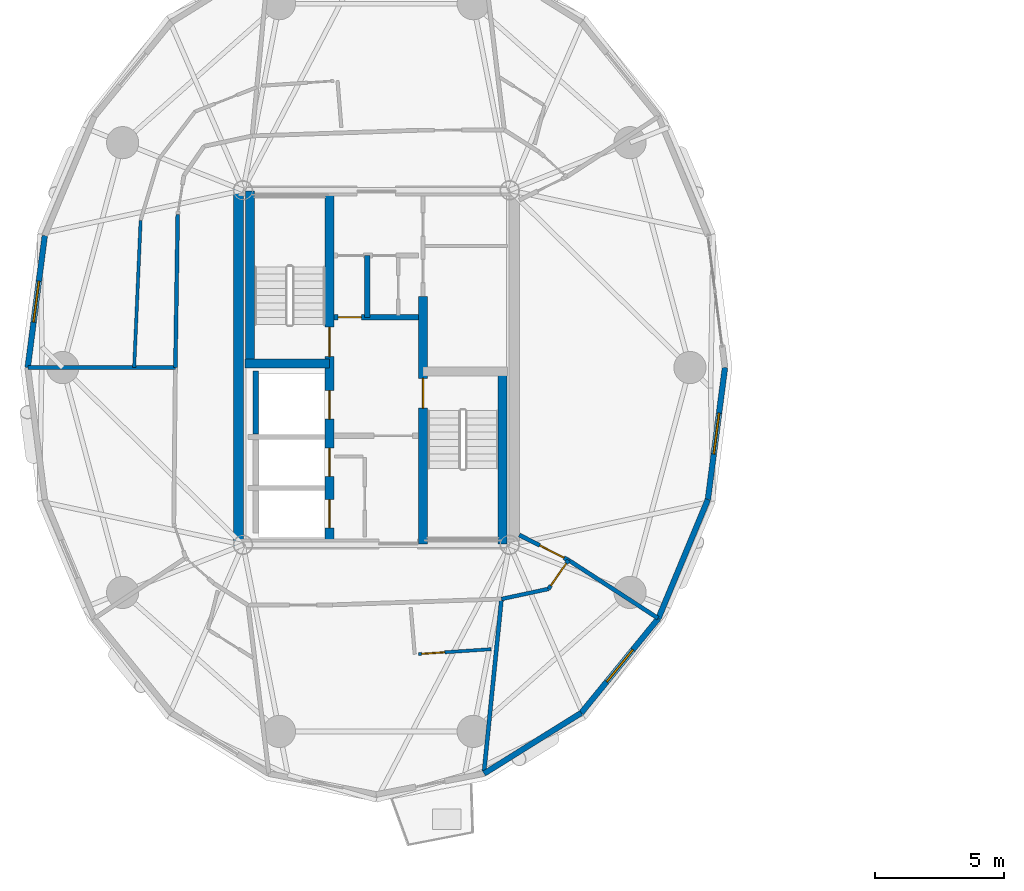
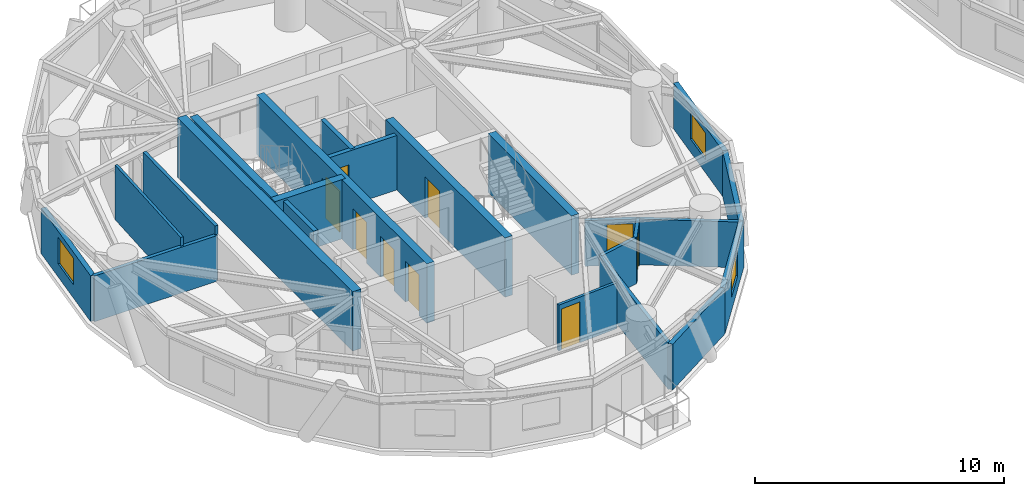
# One storey, part 8 of 16: 23 walls, 9 doors, 3 windows, 12 openings.
"""IFC4 building model written with IfcOpenShell, lengths in metres."""

import ifcopenshell
import ifcopenshell.guid

model = None  # the IFC model being written
_history = None  # IfcOwnerHistory: only IFC2X3 demands one
_inside = {}  # id of a spatial element -> (the spatial element, [elements in it])
_under = {}  # id of a project, library or spatial element -> (it, [spatial elements below it])
_declared = {}  # id of a project -> (the project, [libraries it declares])
_typed = {}  # id of a type object -> (the type object, [elements of that type])
_made_of = {}  # id of a material, layer set ... -> (it, [elements and type objects made of it])


def new_model(schema):
    """Start an empty IFC model of exactly this schema.

    Asked for "IFC4X3", IfcOpenShell would pick the latest addendum, in which some entities
    have other attributes; the version numbers below select the first issue.
    IFC2X3 requires an IfcOwnerHistory on every rooted entity: one is made here for all.
    """
    global model, _history
    if schema == "IFC4X3":
        model = ifcopenshell.file(schema_version=(4, 3, 0, 0))
    else:
        model = ifcopenshell.file(schema=schema)
    _inside.clear()
    _under.clear()
    _declared.clear()
    _typed.clear()
    _made_of.clear()
    _history = None
    if model.schema == "IFC2X3":
        org = make("IfcOrganization", Name="unknown")
        user = make(
            "IfcPersonAndOrganization",
            ThePerson=make("IfcPerson", FamilyName="unknown"),
            TheOrganization=org,
        )
        app = make(
            "IfcApplication",
            ApplicationDeveloper=org,
            Version="unknown",
            ApplicationFullName="unknown",
            ApplicationIdentifier="unknown",
        )
        _history = make(
            "IfcOwnerHistory",
            OwningUser=user,
            OwningApplication=app,
            ChangeAction="ADDED",
            CreationDate=0,
        )
    return model


def make(cls, **values):
    """One entity of the class cls with the attributes given. An attribute that is None is left unset."""
    return model.create_entity(
        cls, **{name: value for name, value in values.items() if value is not None}
    )


def rooted(cls, **values):
    """An entity with a GlobalId (a new one), such as an element, a storey or a relation."""
    return make(cls, GlobalId=ifcopenshell.guid.new(), OwnerHistory=_history, **values)


def si_unit(unit_type, name, prefix=None):
    """IfcSIUnit, for example si_unit("LENGTHUNIT", "METRE", prefix="MILLI")."""
    return make("IfcSIUnit", UnitType=unit_type, Prefix=prefix, Name=name)


def assignment(units):
    """IfcUnitAssignment: the units of a project."""
    return None if units is None else make("IfcUnitAssignment", Units=units)


def point(xyz):
    """IfcCartesianPoint."""
    return None if xyz is None else make("IfcCartesianPoint", Coordinates=xyz)


def direction(xyz):
    """IfcDirection."""
    return None if xyz is None else make("IfcDirection", DirectionRatios=xyz)


def frame(location, z_axis=None, x_axis=None):
    """IfcAxis2Placement3D, a coordinate frame: its origin and axes. An axis left out is left unset."""
    return make(
        "IfcAxis2Placement3D",
        Location=point(location),
        Axis=direction(z_axis),
        RefDirection=direction(x_axis),
    )


def frame_2d(location, x_axis=None):
    """IfcAxis2Placement2D, a coordinate frame in the plane: its origin and x axis."""
    return make(
        "IfcAxis2Placement2D", Location=point(location), RefDirection=direction(x_axis)
    )


def origin():
    """The frame at (0, 0, 0) with its axes left unset."""
    return frame((0.0, 0.0, 0.0))


def place(relative_to, where):
    """IfcLocalPlacement: puts the frame where relative to a parent placement (None: the world)."""
    return make(
        "IfcLocalPlacement", PlacementRelTo=relative_to, RelativePlacement=where
    )


def context(
    kind, dimensions, precision=None, world=None, true_north=None, identifier=None
):
    """IfcGeometricRepresentationContext, for example the 3D "Model" context."""
    return make(
        "IfcGeometricRepresentationContext",
        ContextIdentifier=identifier,
        ContextType=kind,
        CoordinateSpaceDimension=dimensions,
        Precision=precision,
        WorldCoordinateSystem=world,
        TrueNorth=true_north,
    )


def subcontext(parent, identifier, kind, view, scale=None):
    """IfcGeometricRepresentationSubContext, for example "Body" below "Model"."""
    return make(
        "IfcGeometricRepresentationSubContext",
        ContextIdentifier=identifier,
        ContextType=kind,
        ParentContext=parent,
        TargetScale=scale,
        TargetView=view,
    )


def project(units=None, contexts=None):
    """IfcProject with its units and contexts."""
    return rooted(
        "IfcProject",
        Name="project",
        RepresentationContexts=contexts,
        UnitsInContext=assignment(units),
    )


def spatial(cls, under=None, at=None, **own):
    """A site, building, storey or space (cls), placed at a placement, below another one or the project."""
    s = rooted(cls, ObjectPlacement=at, **own)
    if under is not None:
        _under.setdefault(under.id(), (under, []))[1].append(s)
    return s


def profile(cls, at=None, kind="AREA", **sizes):
    """A parametric profile (cls). Its sizes go by their IFC names, for example OverallWidth=200.0."""
    return make(cls, ProfileType=kind, Position=at, **sizes)


def rectangle(**sizes):
    """IfcRectangleProfileDef."""
    return profile("IfcRectangleProfileDef", **sizes)


def extrude(swept, where, along, depth):
    """IfcExtrudedAreaSolid: the profile swept, set in the frame where, extruded along a direction by depth."""
    return make(
        "IfcExtrudedAreaSolid",
        SweptArea=swept,
        Position=where,
        ExtrudedDirection=direction(along),
        Depth=depth,
    )


def shape(context_of_items, identifier, shape_type, items):
    """IfcShapeRepresentation: the items that make up one representation, for example the "Body"."""
    return make(
        "IfcShapeRepresentation",
        ContextOfItems=context_of_items,
        RepresentationIdentifier=identifier,
        RepresentationType=shape_type,
        Items=items,
    )


def source(mapping_origin, context_of_items, identifier, shape_type, items):
    """IfcRepresentationMap: a shape defined once, which mapped items show again and again."""
    return make(
        "IfcRepresentationMap",
        MappingOrigin=mapping_origin,
        MappedRepresentation=shape(context_of_items, identifier, shape_type, items),
    )


def transform(
    local_origin,
    x_axis=None,
    y_axis=None,
    z_axis=None,
    scale=None,
    scale2=None,
    scale3=None,
    uniform=True,
):
    """IfcCartesianTransformationOperator3D, or its non-uniform kind. x_axis, y_axis, z_axis: its Axis1, 2, 3."""
    if uniform:
        return make(
            "IfcCartesianTransformationOperator3D",
            Axis1=direction(x_axis),
            Axis2=direction(y_axis),
            LocalOrigin=point(local_origin),
            Scale=scale,
            Axis3=direction(z_axis),
        )
    return make(
        "IfcCartesianTransformationOperator3DnonUniform",
        Axis1=direction(x_axis),
        Axis2=direction(y_axis),
        LocalOrigin=point(local_origin),
        Scale=scale,
        Axis3=direction(z_axis),
        Scale2=scale2,
        Scale3=scale3,
    )


def mapped(mapping_source, mapping_target):
    """IfcMappedItem: shows the shape of a source again, moved by a transform."""
    return make(
        "IfcMappedItem", MappingSource=mapping_source, MappingTarget=mapping_target
    )


def material(Name=None, Category=None):
    """IfcMaterial."""
    return make("IfcMaterial", Name=Name, Category=Category)


def layer(
    of_material, thickness, ventilated=None, Name=None, Category=None, Priority=None
):
    """IfcMaterialLayer: one layer of a wall or slab, of a material (None: an air gap)."""
    return make(
        "IfcMaterialLayer",
        Material=of_material,
        LayerThickness=thickness,
        IsVentilated=ventilated,
        Name=Name,
        Category=Category,
        Priority=Priority,
    )


def layer_set(layers, Name=None):
    """IfcMaterialLayerSet."""
    return make("IfcMaterialLayerSet", MaterialLayers=layers, LayerSetName=Name)


def made_of(thing, what):
    """Note that an element or type object is made of a material, layer set ...; save() writes the relation."""
    if what is not None:
        _made_of.setdefault(what.id(), (what, []))[1].append(thing)
    return thing


def type_object(cls, material=None, **own):
    """A type object (cls), such as IfcWallType, which elements share."""
    return made_of(rooted(cls, **own), material)


def element(
    cls,
    number,
    at=None,
    inside=None,
    cuts=None,
    type_object=None,
    material=None,
    context=None,
    identifier="Body",
    shape_type=None,
    held_by="IfcProductDefinitionShape",
    body=None,
    shapes=None,
    **own,
):
    """One element of the class cls, such as IfcWall. Its Tag is "e" and its number.

    at: its placement. inside: the storey or other place that contains it. cuts: it is an
    opening in that element (IfcRelVoidsElement). A single representation is given by context,
    identifier, shape_type and body (its items); several are given by shapes. held_by: the class
    of the entity that holds the representations. save() writes the other relations.
    """
    e = rooted(cls, Tag="e%d" % number, ObjectPlacement=at, **own)
    if body is not None:
        shapes = [shape(context, identifier, shape_type, body)]
    if shapes is not None:
        e.Representation = make(held_by, Representations=shapes)
    if inside is not None:
        _inside.setdefault(inside.id(), (inside, []))[1].append(e)
    if cuts is not None:
        rooted(
            "IfcRelVoidsElement", RelatingBuildingElement=cuts, RelatedOpeningElement=e
        )
    if type_object is not None:
        _typed.setdefault(type_object.id(), (type_object, []))[1].append(e)
    return made_of(e, material)


def fill(opening, filler):
    """IfcRelFillsElement: the door or window that sits in an opening."""
    return rooted(
        "IfcRelFillsElement",
        RelatingOpeningElement=opening,
        RelatedBuildingElement=filler,
    )


def aggregate(whole, parts):
    """IfcRelAggregates: a whole, such as a stair, and the parts it consists of."""
    return rooted("IfcRelAggregates", RelatingObject=whole, RelatedObjects=parts)


def save(model, path):
    """Write the relations noted so far, then the file.

    IfcRelAggregates (storeys below a building ...), IfcRelContainedInSpatialStructure (elements
    in a storey), IfcRelDefinesByType, IfcRelAssociatesMaterial and IfcRelDeclares: one each for
    every whole, place, type object, material and project.
    """
    for whole, parts in _under.values():
        aggregate(whole, parts)
    for where, things in _inside.values():
        rooted(
            "IfcRelContainedInSpatialStructure",
            RelatedElements=things,
            RelatingStructure=where,
        )
    for kind, things in _typed.values():
        rooted("IfcRelDefinesByType", RelatedObjects=things, RelatingType=kind)
    for what, things in _made_of.values():
        rooted("IfcRelAssociatesMaterial", RelatedObjects=things, RelatingMaterial=what)
    for by, libraries in _declared.values():
        rooted("IfcRelDeclares", RelatingContext=by, RelatedDefinitions=libraries)
    model.write(path)


model = new_model("IFC4")

# Units and contexts
model_context = context("Model", 3, precision=1e-05, world=origin(), true_north=direction((0.0, 1.0)))
body_context = subcontext(model_context, "Body", "Model", "MODEL_VIEW")
ifc_project = project(units=[si_unit("LENGTHUNIT", "METRE"), si_unit("AREAUNIT", "SQUARE_METRE"), si_unit("VOLUMEUNIT", "CUBIC_METRE"), si_unit("PLANEANGLEUNIT", "RADIAN"), si_unit("MASSUNIT", "GRAM", prefix="KILO")], contexts=[model_context])

# Site, building, storey
site_placement = place(None, origin())
site = spatial("IfcSite", under=ifc_project, at=site_placement, CompositionType="ELEMENT")
building_placement = place(site_placement, origin())
building = spatial("IfcBuilding", under=site, at=building_placement, Name="Cununo Teusaquillo Station Towers", CompositionType="ELEMENT")
storey_placement = place(building_placement, frame((0.0, 0.0, 180.699951171875)))
storey = spatial("IfcBuildingStorey", under=building, at=storey_placement, Name="L57", CompositionType="ELEMENT", Elevation=180.699951171875)

# Wall
ifc_material_1 = material(Name="Concrete C50/60", Category="concrete")
ifc_layer_1 = layer(ifc_material_1, 0.199951171875)
ifc_layer_set_1 = layer_set([ifc_layer_1], Name="Concrete C50/60")
wall_type_1 = type_object("IfcWallType", Name="WL-CORE-200", PredefinedType="SHEAR", material=ifc_layer_set_1)
wall_1_placement = place(storey_placement, frame((11.820068359375, 21.919921875, 0.0), z_axis=(0.0, 0.0, 1.0), x_axis=(0.0, 1.0, 0.0)))
element("IfcWall", 1, at=wall_1_placement, inside=storey, type_object=wall_type_1, Name="L57 Tower A Firefighting Lift Shaft Rear Shear Wall", PredefinedType="SHEAR", context=body_context, shape_type="SweptSolid", body=[
    extrude(rectangle(XDim=2.440185546875, YDim=0.199951171875, at=frame_2d((1.22021484375, 0.0))), origin(), (0.0, 0.0, 1.0), 2.91015625),
])

# Wall, openings, doors
ifc_material_2 = material(Name="Concrete C50/60", Category="concrete")
ifc_layer_2 = layer(ifc_material_2, 0.35009765625)
ifc_layer_set_2 = layer_set([ifc_layer_2], Name="Concrete C50/60")
wall_type_2 = type_object("IfcWallType", Name="WL-CORE-350", PredefinedType="SHEAR", material=ifc_layer_set_2)
wall_2_placement = place(storey_placement, frame((14.68505859375, 17.64990234375, 0.0), z_axis=(0.0, 0.0, 1.0), x_axis=(0.0, 1.0, 0.0)))
wall_2 = element("IfcWall", 2, at=wall_2_placement, inside=storey, type_object=wall_type_2, Name="L57 Tower A Core Shear Wall IW", PredefinedType="SHEAR", context=body_context, shape_type="SweptSolid", body=[
    extrude(rectangle(XDim=13.7001953125, YDim=0.35009765625, at=frame_2d((6.85009765625, 0.0))), origin(), (0.0, 0.0, 1.0), 2.91015625),
])
shared_shape_1 = source(origin(), body_context, "Body", "SweptSolid", [
    extrude(rectangle(XDim=1.10009765625, YDim=2.014892578125, at=frame_2d((0.550048828125, 1.00732421875))), frame((0.0, 0.18505859375, 0.0), z_axis=(0.0, -1.0, 0.0), x_axis=(1.0, 0.0, 0.0)), (0.0, 0.0, 1.0), 0.3701171875),
])
opening_1_placement = place(wall_2_placement, frame((4.85009765625, 0.0, 0.0)))
opening_1 = element("IfcOpeningElement", 3, at=opening_1_placement, cuts=wall_2, Name="Opening LD-01", PredefinedType="OPENING", context=body_context, shape_type="MappedRepresentation", body=[
    mapped(shared_shape_1, transform((0.0, 0.0, 0.0), x_axis=(1.0, 0.0, 0.0), y_axis=(0.0, 1.0, 0.0), z_axis=(0.0, 0.0, 1.0), scale=1.0)),
])
opening_2_placement = place(wall_2_placement, frame((0.625, 0.0, 0.0)))
opening_2 = element("IfcOpeningElement", 4, at=opening_2_placement, cuts=wall_2, Name="Opening LD-01", PredefinedType="OPENING", context=body_context, shape_type="MappedRepresentation", body=[
    mapped(shared_shape_1, transform((0.0, 0.0, 0.0), x_axis=(1.0, 0.0, 0.0), y_axis=(0.0, 1.0, 0.0), z_axis=(0.0, 0.0, 1.0), scale=1.0)),
])
opening_3_placement = place(wall_2_placement, frame((2.625, 0.0, 0.0)))
opening_3 = element("IfcOpeningElement", 5, at=opening_3_placement, cuts=wall_2, Name="Opening LD-01", PredefinedType="OPENING", context=body_context, shape_type="MappedRepresentation", body=[
    mapped(shared_shape_1, transform((0.0, 0.0, 0.0), x_axis=(1.0, 0.0, 0.0), y_axis=(0.0, 1.0, 0.0), z_axis=(0.0, 0.0, 1.0), scale=1.0)),
])
shared_shape_2 = source(origin(), body_context, "Body", "SweptSolid", [
    extrude(rectangle(XDim=1.14990234375, YDim=2.02001953125, at=frame_2d((0.574951171875, 1.010009765625))), frame((0.0, 0.18505859375, 0.0), z_axis=(0.0, -1.0, 0.0), x_axis=(1.0, 0.0, 0.0)), (0.0, 0.0, 1.0), 0.3701171875),
])
opening_4_placement = place(wall_2_placement, frame((7.27001953125, 0.0, 0.0)))
opening_4 = element("IfcOpeningElement", 6, at=opening_4_placement, cuts=wall_2, Name="Opening D-ST1", PredefinedType="OPENING", context=body_context, shape_type="MappedRepresentation", body=[
    mapped(shared_shape_2, transform((0.0, 0.0, 0.0), x_axis=(1.0, 0.0, 0.0), y_axis=(0.0, 1.0, 0.0), z_axis=(0.0, 0.0, 1.0), scale=1.0)),
])
ifc_material_3 = material(Name="Galvanised fire-rated hollow steel door assembly", Category="steel")
door_type_1 = type_object("IfcDoorType", Name="DR-LIFT-1100", OperationType="SLIDING_TO_LEFT", PredefinedType="DOOR", material=ifc_material_3)
shared_shape_3 = source(origin(), body_context, "Body", "SweptSolid", [
    extrude(rectangle(XDim=1.10009765625, YDim=2.014892578125, at=frame_2d((0.550048828125, 1.00732421875))), frame((0.0, 0.02490234375, 0.0), z_axis=(0.0, -1.0, 0.0), x_axis=(1.0, 0.0, 0.0)), (0.0, 0.0, 1.0), 0.050048828125),
])
door_1_placement = place(opening_1_placement, origin())
door_1 = element("IfcDoor", 7, at=door_1_placement, inside=storey, type_object=door_type_1, Name="L57 Lift FL-T1 Sliding Landing Door", OperationType="SLIDING_TO_RIGHT", OverallHeight=2.014892578125, OverallWidth=1.10009765625, PredefinedType="DOOR", context=body_context, shape_type="MappedRepresentation", body=[
    mapped(shared_shape_3, transform((0.0, 0.0, 0.0), x_axis=(1.0, 0.0, 0.0), y_axis=(0.0, 1.0, 0.0), z_axis=(0.0, 0.0, 1.0), scale=1.0)),
])
fill(opening_1, door_1)
door_2_placement = place(opening_2_placement, origin())
door_2 = element("IfcDoor", 8, at=door_2_placement, inside=storey, type_object=door_type_1, Name="L57 Lift PL-T1-H1 Sliding Landing Door", OperationType="SLIDING_TO_LEFT", OverallHeight=2.014892578125, OverallWidth=1.10009765625, PredefinedType="DOOR", context=body_context, shape_type="MappedRepresentation", body=[
    mapped(shared_shape_3, transform((0.0, 0.0, 0.0), x_axis=(1.0, 0.0, 0.0), y_axis=(0.0, 1.0, 0.0), z_axis=(0.0, 0.0, 1.0), scale=1.0)),
])
fill(opening_2, door_2)
door_3_placement = place(opening_3_placement, origin())
door_3 = element("IfcDoor", 9, at=door_3_placement, inside=storey, type_object=door_type_1, Name="L57 Lift PL-T1-H2 Sliding Landing Door", OperationType="SLIDING_TO_RIGHT", OverallHeight=2.014892578125, OverallWidth=1.10009765625, PredefinedType="DOOR", context=body_context, shape_type="MappedRepresentation", body=[
    mapped(shared_shape_3, transform((0.0, 0.0, 0.0), x_axis=(1.0, 0.0, 0.0), y_axis=(0.0, 1.0, 0.0), z_axis=(0.0, 0.0, 1.0), scale=1.0)),
])
fill(opening_3, door_3)
ifc_material_4 = material(Name="Galvanised fire-rated hollow steel door assembly", Category="steel")
door_type_2 = type_object("IfcDoorType", Name="DR-STAIR-1150", OperationType="NOTDEFINED", PredefinedType="DOOR", material=ifc_material_4)
shared_shape_4 = source(origin(), body_context, "Body", "SweptSolid", [
    extrude(rectangle(XDim=1.14990234375, YDim=2.02001953125, at=frame_2d((0.574951171875, 1.010009765625))), frame((0.0, 0.02490234375, 0.0), z_axis=(0.0, -1.0, 0.0), x_axis=(1.0, 0.0, 0.0)), (0.0, 0.0, 1.0), 0.050048828125),
])
door_4_placement = place(opening_4_placement, origin())
door_4 = element("IfcDoor", 10, at=door_4_placement, inside=storey, type_object=door_type_2, Name="L57 Tower A Exit Stair 1 Fire Door", OperationType="SINGLE_SWING_RIGHT", OverallHeight=2.02001953125, OverallWidth=1.14990234375, PredefinedType="DOOR", context=body_context, shape_type="MappedRepresentation", body=[
    mapped(shared_shape_4, transform((0.0, 0.0, 0.0), x_axis=(1.0, 0.0, 0.0), y_axis=(0.0, 1.0, 0.0), z_axis=(0.0, 0.0, 1.0), scale=1.0)),
])
fill(opening_4, door_4)

# Wall, opening, door
wall_3_placement = place(storey_placement, frame((18.31494140625, 17.64990234375, 0.0), z_axis=(0.0, 0.0, 1.0), x_axis=(0.0, 1.0, 0.0)))
wall_3 = element("IfcWall", 11, at=wall_3_placement, inside=storey, type_object=wall_type_2, Name="L57 Tower A Core Shear Wall IE", PredefinedType="SHEAR", context=body_context, shape_type="SweptSolid", body=[
    extrude(rectangle(XDim=9.60009765625, YDim=0.35009765625, at=frame_2d((4.800048828125, 0.0))), origin(), (0.0, 0.0, 1.0), 2.91015625),
])
opening_5_placement = place(wall_3_placement, frame((5.280029296875, 0.0, 0.0)))
opening_5 = element("IfcOpeningElement", 12, at=opening_5_placement, cuts=wall_3, Name="Opening D-ST1", PredefinedType="OPENING", context=body_context, shape_type="MappedRepresentation", body=[
    mapped(shared_shape_2, transform((0.0, 0.0, 0.0), x_axis=(1.0, 0.0, 0.0), y_axis=(0.0, 1.0, 0.0), z_axis=(0.0, 0.0, 1.0), scale=1.0)),
])
door_5_placement = place(opening_5_placement, origin())
door_5 = element("IfcDoor", 13, at=door_5_placement, inside=storey, type_object=door_type_2, Name="L57 Tower A Exit Stair 2 Fire Door", OperationType="SINGLE_SWING_LEFT", OverallHeight=2.02001953125, OverallWidth=1.14990234375, PredefinedType="DOOR", context=body_context, shape_type="MappedRepresentation", body=[
    mapped(shared_shape_4, transform((0.0, 0.0, 0.0), x_axis=(1.0, 0.0, 0.0), y_axis=(0.0, 1.0, 0.0), z_axis=(0.0, 0.0, 1.0), scale=1.0)),
])
fill(opening_5, door_5)

# Walls
wall_4_placement = place(storey_placement, frame((11.594970703125, 24.655029296875, 0.0), z_axis=(0.0, 0.0, 1.0), x_axis=(0.0, 1.0, 0.0)))
element("IfcWall", 14, at=wall_4_placement, inside=storey, type_object=wall_type_2, Name="L57 Tower A Core Shear Wall ST1W", PredefinedType="SHEAR", context=body_context, shape_type="SweptSolid", body=[
    extrude(rectangle(XDim=6.695068359375, YDim=0.35009765625, at=frame_2d((3.34765625, 0.0))), origin(), (0.0, 0.0, 1.0), 2.91015625),
])
wall_5_placement = place(storey_placement, frame((11.39990234375, 24.655029296875, 0.0), z_axis=(0.0, 0.0, 1.0), x_axis=(1.0, 0.0, 0.0)))
element("IfcWall", 15, at=wall_5_placement, inside=storey, type_object=wall_type_2, Name="L57 Tower A Core Shear Wall ST1S", PredefinedType="SHEAR", context=body_context, shape_type="SweptSolid", body=[
    extrude(rectangle(XDim=3.28515625, YDim=0.35009765625, at=frame_2d((1.642578125, 0.0))), origin(), (0.0, 0.0, 1.0), 2.91015625),
])
wall_6_placement = place(storey_placement, frame((21.405029296875, 17.64990234375, 0.0), z_axis=(0.0, 0.0, 1.0), x_axis=(0.0, 1.0, 0.0)))
element("IfcWall", 16, at=wall_6_placement, inside=storey, type_object=wall_type_2, Name="L57 Tower A Core Shear Wall ST2E", PredefinedType="SHEAR", context=body_context, shape_type="SweptSolid", body=[
    extrude(rectangle(XDim=6.695068359375, YDim=0.35009765625, at=frame_2d((3.34765625, 0.0))), origin(), (0.0, 0.0, 1.0), 2.91015625),
])
ifc_material_5 = material(Name="Concrete C50/60", Category="concrete")
ifc_layer_3 = layer(ifc_material_5, 0.39990234375)
ifc_layer_set_3 = layer_set([ifc_layer_3], Name="Concrete C50/60")
wall_type_3 = type_object("IfcWallType", Name="WL-CORE-400", PredefinedType="SHEAR", material=ifc_layer_set_3)
wall_7_placement = place(storey_placement, frame((11.14990234375, 17.449951171875, 0.0), z_axis=(0.0, 0.0, 1.0), x_axis=(0.0, 1.0, 0.0)))
element("IfcWall", 17, at=wall_7_placement, inside=storey, type_object=wall_type_3, Name="L57 Tower A Core Shear Wall W", PredefinedType="SHEAR", context=body_context, shape_type="SweptSolid", body=[
    extrude(rectangle(XDim=14.10009765625, YDim=0.39990234375, at=frame_2d((7.050048828125, 0.0))), origin(), (0.0, 0.0, 1.0), 2.91015625),
])

# Wall, opening, window
ifc_material_6 = material(Name="Precast concrete C40/50", Category="concrete")
ifc_layer_4 = layer(ifc_material_6, 0.219970703125)
ifc_layer_set_4 = layer_set([ifc_layer_4], Name="Precast concrete C40/50")
wall_type_4 = type_object("IfcWallType", Name="WL-EXT-220", PredefinedType="SOLIDWALL", material=ifc_layer_set_4)
wall_8_placement = place(storey_placement, frame((2.968994140625, 24.5, 0.0), z_axis=(0.0, 0.0, 1.0), x_axis=(0.128287912609, 0.991736966881, 0.0)))
wall_8 = element("IfcWall", 18, at=wall_8_placement, inside=storey, type_object=wall_type_4, Name="L57 Tower A Exterior Facade Wall C09", PredefinedType="SOLIDWALL", context=body_context, shape_type="SweptSolid", body=[
    extrude(rectangle(XDim=5.1630859375, YDim=0.219970703125, at=frame_2d((2.58154296875, 0.0))), origin(), (0.0, 0.0, 1.0), 2.2451171875),
])
shared_shape_5 = source(origin(), body_context, "Body", "SweptSolid", [
    extrude(rectangle(XDim=1.60009765625, YDim=1.300048828125, at=frame_2d((0.800048828125, 0.64990234375))), frame((0.0, 0.119873046875, 0.0), z_axis=(0.0, -1.0, 0.0), x_axis=(1.0, 0.0, 0.0)), (0.0, 0.0, 1.0), 0.239990234375),
])
opening_6_placement = place(wall_8_placement, frame((1.781982421875, 0.0, 0.64990234375)))
opening_6 = element("IfcOpeningElement", 19, at=opening_6_placement, cuts=wall_8, Name="Opening WN-03", PredefinedType="OPENING", context=body_context, shape_type="MappedRepresentation", body=[
    mapped(shared_shape_5, transform((0.0, 0.0, 0.0), x_axis=(1.0, 0.0, 0.0), y_axis=(0.0, 1.0, 0.0), z_axis=(0.0, 0.0, 1.0), scale=1.0)),
])
ifc_material_7 = material(Name="Ceramic-fritted dark low-E double glazing", Category="glass")
window_type = type_object("IfcWindowType", Name="WIN-CORN-1600", PartitioningType="SINGLE_PANEL", PredefinedType="WINDOW", material=ifc_material_7)
shared_shape_6 = source(origin(), body_context, "Body", "SweptSolid", [
    extrude(rectangle(XDim=1.60009765625, YDim=1.300048828125, at=frame_2d((0.800048828125, 0.64990234375))), frame((0.0, 0.030029296875, 0.0), z_axis=(0.0, -1.0, 0.0), x_axis=(1.0, 0.0, 0.0)), (0.0, 0.0, 1.0), 0.06005859375),
])
window_1_placement = place(opening_6_placement, origin())
window_1 = element("IfcWindow", 20, at=window_1_placement, inside=storey, type_object=window_type, Name="L57 Tower A Facade Window C09", OverallHeight=1.300048828125, OverallWidth=1.60009765625, PartitioningType="SINGLE_PANEL", PredefinedType="WINDOW", context=body_context, shape_type="MappedRepresentation", body=[
    mapped(shared_shape_6, transform((0.0, 0.0, 0.0), x_axis=(1.0, 0.0, 0.0), y_axis=(0.0, 1.0, 0.0), z_axis=(0.0, 0.0, 1.0), scale=1.0)),
])
fill(opening_6, window_1)

# Wall
wall_9_placement = place(storey_placement, frame((24.453369140625, 11.094482421875, 0.0), z_axis=(0.0, 0.0, 1.0), x_axis=(-0.848399108042, -0.529357113368, 0.0)))
element("IfcWall", 21, at=wall_9_placement, inside=storey, type_object=wall_type_4, Name="L57 Tower A Exterior Facade Wall C16", PredefinedType="SOLIDWALL", context=body_context, shape_type="SweptSolid", body=[
    extrude(rectangle(XDim=4.446044921875, YDim=0.219970703125, at=frame_2d((2.22314453125, 0.0))), origin(), (0.0, 0.0, 1.0), 2.2451171875),
])

# Wall, opening, window
wall_10_placement = place(storey_placement, frame((27.44677734375, 14.760498046875, 0.0), z_axis=(0.0, 0.0, 1.0), x_axis=(-0.632470615287, -0.774584353572, 0.0)))
wall_10 = element("IfcWall", 22, at=wall_10_placement, inside=storey, type_object=wall_type_4, Name="L57 Tower A Exterior Facade Wall C17", PredefinedType="SOLIDWALL", context=body_context, shape_type="SweptSolid", body=[
    extrude(rectangle(XDim=4.73291015625, YDim=0.219970703125, at=frame_2d((2.366455078125, 0.0))), origin(), (0.0, 0.0, 1.0), 2.2451171875),
])
opening_7_placement = place(wall_10_placement, frame((1.56591796875, 0.0, 0.64990234375)))
opening_7 = element("IfcOpeningElement", 23, at=opening_7_placement, cuts=wall_10, Name="Opening WN-03", PredefinedType="OPENING", context=body_context, shape_type="MappedRepresentation", body=[
    mapped(shared_shape_5, transform((0.0, 0.0, 0.0), x_axis=(1.0, 0.0, 0.0), y_axis=(0.0, 1.0, 0.0), z_axis=(0.0, 0.0, 1.0), scale=1.0)),
])
window_2_placement = place(opening_7_placement, origin())
window_2 = element("IfcWindow", 24, at=window_2_placement, inside=storey, type_object=window_type, Name="L57 Tower A Facade Window C17", OverallHeight=1.300048828125, OverallWidth=1.60009765625, PartitioningType="SINGLE_PANEL", PredefinedType="WINDOW", context=body_context, shape_type="MappedRepresentation", body=[
    mapped(shared_shape_6, transform((0.0, 0.0, 0.0), x_axis=(1.0, 0.0, 0.0), y_axis=(0.0, 1.0, 0.0), z_axis=(0.0, 0.0, 1.0), scale=1.0)),
])
fill(opening_7, window_2)

# Wall
wall_11_placement = place(storey_placement, frame((29.36865234375, 19.379638671875, 0.0), z_axis=(0.0, 0.0, 1.0), x_axis=(-0.384144094086, -0.923273152961, 0.0)))
element("IfcWall", 25, at=wall_11_placement, inside=storey, type_object=wall_type_4, Name="L57 Tower A Exterior Facade Wall C18", PredefinedType="SOLIDWALL", context=body_context, shape_type="SweptSolid", body=[
    extrude(rectangle(XDim=5.0029296875, YDim=0.219970703125, at=frame_2d((2.50146484375, 0.0))), origin(), (0.0, 0.0, 1.0), 2.2451171875),
])

# Wall, opening, window
wall_12_placement = place(storey_placement, frame((30.031005859375, 24.5, 0.0), z_axis=(0.0, 0.0, 1.0), x_axis=(-0.128287912609, -0.991736966881, 0.0)))
wall_12 = element("IfcWall", 26, at=wall_12_placement, inside=storey, type_object=wall_type_4, Name="L57 Tower A Exterior Facade Wall C19", PredefinedType="SOLIDWALL", context=body_context, shape_type="SweptSolid", body=[
    extrude(rectangle(XDim=5.1630859375, YDim=0.219970703125, at=frame_2d((2.58154296875, 0.0))), origin(), (0.0, 0.0, 1.0), 2.2451171875),
])
opening_8_placement = place(wall_12_placement, frame((1.781982421875, 0.0, 0.64990234375)))
opening_8 = element("IfcOpeningElement", 27, at=opening_8_placement, cuts=wall_12, Name="Opening WN-03", PredefinedType="OPENING", context=body_context, shape_type="MappedRepresentation", body=[
    mapped(shared_shape_5, transform((0.0, 0.0, 0.0), x_axis=(1.0, 0.0, 0.0), y_axis=(0.0, 1.0, 0.0), z_axis=(0.0, 0.0, 1.0), scale=1.0)),
])
window_3_placement = place(opening_8_placement, origin())
window_3 = element("IfcWindow", 28, at=window_3_placement, inside=storey, type_object=window_type, Name="L57 Tower A Facade Window C19", OverallHeight=1.300048828125, OverallWidth=1.60009765625, PartitioningType="SINGLE_PANEL", PredefinedType="WINDOW", context=body_context, shape_type="MappedRepresentation", body=[
    mapped(shared_shape_6, transform((0.0, 0.0, 0.0), x_axis=(1.0, 0.0, 0.0), y_axis=(0.0, 1.0, 0.0), z_axis=(0.0, 0.0, 1.0), scale=1.0)),
])
fill(opening_8, window_3)

# Wall
ifc_material_8 = material(Name="Fire-rated gypsum plasterboard partition assembly", Category="gypsum")
ifc_layer_5 = layer(ifc_material_8, 0.125)
ifc_layer_set_5 = layer_set([ifc_layer_5], Name="Fire-rated gypsum plasterboard partition assembly")
wall_type_5 = type_object("IfcWallType", Name="WL-PART-125", PredefinedType="PARTITIONING", material=ifc_layer_set_5)
wall_13_placement = place(storey_placement, frame((7.351318359375, 30.21337890625, 0.0), z_axis=(0.0, 0.0, 1.0), x_axis=(-0.043800331293, -0.999040304982, 0.0)))
element("IfcWall", 29, at=wall_13_placement, inside=storey, type_object=wall_type_5, Name="L57 Tower A Hotel Tea & Cigar Conservatory Concentric Partition Wall C09", PredefinedType="PARTITIONING", context=body_context, shape_type="SweptSolid", body=[
    extrude(rectangle(XDim=5.71875, YDim=0.125, at=frame_2d((2.859375, 0.0))), origin(), (0.0, 0.0, 1.0), 2.675048828125),
])

# Wall, opening, door
wall_14_placement = place(storey_placement, frame((18.136962890625, 13.38037109375, 0.0), z_axis=(0.0, 0.0, 1.0), x_axis=(0.997767152953, 0.066788535611, 0.0)))
wall_14 = element("IfcWall", 30, at=wall_14_placement, inside=storey, type_object=wall_type_5, Name="L57 Tower A S06 En-suite Back Wall", PredefinedType="PARTITIONING", context=body_context, shape_type="SweptSolid", body=[
    extrude(rectangle(XDim=2.82568359375, YDim=0.125, at=frame_2d((1.412841796875, 0.0))), origin(), (0.0, 0.0, 1.0), 2.2451171875),
])
shared_shape_7 = source(origin(), body_context, "Body", "SweptSolid", [
    extrude(rectangle(XDim=0.89990234375, YDim=2.0048828125, at=frame_2d((0.449951171875, 1.00244140625))), frame((0.0, 0.072509765625, 0.0), z_axis=(0.0, -1.0, 0.0), x_axis=(1.0, 0.0, 0.0)), (0.0, 0.0, 1.0), 0.14501953125),
])
opening_9_placement = place(wall_14_placement, frame((0.1201171875, 0.0, 0.0)))
opening_9 = element("IfcOpeningElement", 31, at=opening_9_placement, cuts=wall_14, Name="Opening D-IN1", PredefinedType="OPENING", context=body_context, shape_type="MappedRepresentation", body=[
    mapped(shared_shape_7, transform((0.0, 0.0, 0.0), x_axis=(1.0, 0.0, 0.0), y_axis=(0.0, 1.0, 0.0), z_axis=(0.0, 0.0, 1.0), scale=1.0)),
])
ifc_material_9 = material(Name="Acoustic solid-core hardwood leaf assembly", Category="wood")
door_type_3 = type_object("IfcDoorType", Name="DR-INT-900", OperationType="NOTDEFINED", PredefinedType="DOOR", material=ifc_material_9)
shared_shape_8 = source(origin(), body_context, "Body", "SweptSolid", [
    extrude(rectangle(XDim=0.89990234375, YDim=2.0048828125, at=frame_2d((0.449951171875, 1.00244140625))), frame((0.0, 0.02490234375, 0.0), z_axis=(0.0, -1.0, 0.0), x_axis=(1.0, 0.0, 0.0)), (0.0, 0.0, 1.0), 0.050048828125),
])
door_6_placement = place(opening_9_placement, origin())
door_6 = element("IfcDoor", 32, at=door_6_placement, inside=storey, type_object=door_type_3, Name="L57 Tower A S06 En-suite Bathroom Door", OperationType="SINGLE_SWING_LEFT", OverallHeight=2.0048828125, OverallWidth=0.89990234375, PredefinedType="DOOR", context=body_context, shape_type="MappedRepresentation", body=[
    mapped(shared_shape_8, transform((0.0, 0.0, 0.0), x_axis=(1.0, 0.0, 0.0), y_axis=(0.0, 1.0, 0.0), z_axis=(0.0, 0.0, 1.0), scale=1.0)),
])
fill(opening_9, door_6)

# Walls
ifc_material_10 = material(Name="Fire-rated gypsum plasterboard partition assembly", Category="gypsum")
ifc_layer_6 = layer(ifc_material_10, 0.14990234375)
ifc_layer_set_6 = layer_set([ifc_layer_6], Name="Fire-rated gypsum plasterboard partition assembly")
wall_type_6 = type_object("IfcWallType", Name="WL-PART-150", PredefinedType="PARTITIONING", material=ifc_layer_set_6)
wall_15_placement = place(storey_placement, frame((8.79052734375, 30.4462890625, 0.0), z_axis=(0.0, 0.0, 1.0), x_axis=(-0.015230619426, -0.999884007389, 0.0)))
element("IfcWall", 33, at=wall_15_placement, inside=storey, type_object=wall_type_6, Name="L57 Tower A Corridor Ring Wall C09", PredefinedType="PARTITIONING", context=body_context, shape_type="SweptSolid", body=[
    extrude(rectangle(XDim=5.947021484375, YDim=0.14990234375, at=frame_2d((2.9736328125, 0.0))), origin(), (0.0, 0.0, 1.0), 2.675048828125),
])
wall_16_placement = place(storey_placement, frame((21.357177734375, 15.5166015625, 0.0), z_axis=(0.0, 0.0, 1.0), x_axis=(0.977773676035, 0.209663154733, 0.0)))
element("IfcWall", 34, at=wall_16_placement, inside=storey, type_object=wall_type_6, Name="L57 Tower A Corridor Ring Wall C16", PredefinedType="PARTITIONING", context=body_context, shape_type="SweptSolid", body=[
    extrude(rectangle(XDim=1.865478515625, YDim=0.14990234375, at=frame_2d((0.9326171875, 0.0))), origin(), (0.0, 0.0, 1.0), 2.2451171875),
])

# Wall, opening, door
wall_17_placement = place(storey_placement, frame((23.18115234375, 15.90771484375, 0.0), z_axis=(0.0, 0.0, 1.0), x_axis=(0.571342842249, 0.820711494138, 0.0)))
wall_17 = element("IfcWall", 35, at=wall_17_placement, inside=storey, type_object=wall_type_6, Name="L57 Tower A Corridor Ring Wall C17", PredefinedType="PARTITIONING", context=body_context, shape_type="SweptSolid", body=[
    extrude(rectangle(XDim=1.36181640625, YDim=0.14990234375, at=frame_2d((0.680908203125, 0.0))), origin(), (0.0, 0.0, 1.0), 2.2451171875),
])
shared_shape_9 = source(origin(), body_context, "Body", "SweptSolid", [
    extrude(rectangle(XDim=1.050048828125, YDim=2.014892578125, at=frame_2d((0.52490234375, 1.00732421875))), frame((0.0, 0.0849609375, 0.0), z_axis=(0.0, -1.0, 0.0), x_axis=(1.0, 0.0, 0.0)), (0.0, 0.0, 1.0), 0.169921875),
])
opening_10_placement = place(wall_17_placement, frame((0.156005859375, 0.0, 0.0)))
opening_10 = element("IfcOpeningElement", 36, at=opening_10_placement, cuts=wall_17, Name="Opening D-SU1", PredefinedType="OPENING", context=body_context, shape_type="MappedRepresentation", body=[
    mapped(shared_shape_9, transform((0.0, 0.0, 0.0), x_axis=(1.0, 0.0, 0.0), y_axis=(0.0, 1.0, 0.0), z_axis=(0.0, 0.0, 1.0), scale=1.0)),
])
ifc_material_11 = material(Name="Acoustic solid-core hardwood leaf assembly", Category="wood")
door_type_4 = type_object("IfcDoorType", Name="DR-SUITE-1050", OperationType="NOTDEFINED", PredefinedType="DOOR", material=ifc_material_11)
shared_shape_10 = source(origin(), body_context, "Body", "SweptSolid", [
    extrude(rectangle(XDim=1.050048828125, YDim=2.014892578125, at=frame_2d((0.52490234375, 1.00732421875))), frame((0.0, 0.02490234375, 0.0), z_axis=(0.0, -1.0, 0.0), x_axis=(1.0, 0.0, 0.0)), (0.0, 0.0, 1.0), 0.050048828125),
])
door_7_placement = place(opening_10_placement, origin())
door_7 = element("IfcDoor", 37, at=door_7_placement, inside=storey, type_object=door_type_4, Name="L57 Tower A Hotel Housekeeping & Linen Pantry Entrance Door", OperationType="SINGLE_SWING_RIGHT", OverallHeight=2.014892578125, OverallWidth=1.050048828125, PredefinedType="DOOR", context=body_context, shape_type="MappedRepresentation", body=[
    mapped(shared_shape_10, transform((0.0, 0.0, 0.0), x_axis=(1.0, 0.0, 0.0), y_axis=(0.0, 1.0, 0.0), z_axis=(0.0, 0.0, 1.0), scale=1.0)),
])
fill(opening_10, door_7)

# Walls
ifc_material_12 = material(Name="Fire-rated gypsum plasterboard partition assembly", Category="gypsum")
ifc_layer_7 = layer(ifc_material_12, 0.159912109375)
ifc_layer_set_7 = layer_set([ifc_layer_7], Name="Fire-rated gypsum plasterboard partition assembly")
wall_type_7 = type_object("IfcWallType", Name="WL-PART-160", PredefinedType="PARTITIONING", material=ifc_layer_set_7)
wall_18_placement = place(storey_placement, frame((8.699951171875, 24.5, 0.0), z_axis=(0.0, 0.0, 1.0), x_axis=(-1.0, 0.0, 0.0)))
element("IfcWall", 38, at=wall_18_placement, inside=storey, type_object=wall_type_7, Name="L57 Tower A Radial Suite Partition R04", PredefinedType="PARTITIONING", context=body_context, shape_type="SweptSolid", body=[
    extrude(rectangle(XDim=5.7109375, YDim=0.159912109375, at=frame_2d((2.85546875, 0.0))), origin(), (0.0, 0.0, 1.0), 2.2451171875),
])
wall_19_placement = place(storey_placement, frame((21.357177734375, 15.5166015625, 0.0), z_axis=(0.0, 0.0, 1.0), x_axis=(-0.100446941693, -0.994942416376, 0.0)))
element("IfcWall", 39, at=wall_19_placement, inside=storey, type_object=wall_type_7, Name="L57 Tower A Radial Suite Partition R07", PredefinedType="PARTITIONING", context=body_context, shape_type="SweptSolid", body=[
    extrude(rectangle(XDim=6.791015625, YDim=0.159912109375, at=frame_2d((3.3955078125, 0.0))), origin(), (0.0, 0.0, 1.0), 2.2451171875),
])
wall_20_placement = place(storey_placement, frame((23.959228515625, 17.025390625, 0.0), z_axis=(0.0, 0.0, 1.0), x_axis=(0.838803293388, -0.544434601215, 0.0)))
element("IfcWall", 40, at=wall_20_placement, inside=storey, type_object=wall_type_7, Name="L57 Tower A Radial Suite Partition R08", PredefinedType="PARTITIONING", context=body_context, shape_type="SweptSolid", body=[
    extrude(rectangle(XDim=4.138671875, YDim=0.159912109375, at=frame_2d((2.0693359375, 0.0))), origin(), (0.0, 0.0, 1.0), 2.2451171875),
])

# Wall, opening, door
wall_21_placement = place(storey_placement, frame((22.050048828125, 18.0, 0.0), z_axis=(0.0, 0.0, 1.0), x_axis=(0.890660222535, -0.454669515136, 0.0)))
wall_21 = element("IfcWall", 41, at=wall_21_placement, inside=storey, type_object=wall_type_7, Name="L57 Tower A East Salon Corridor Portal Wall SE", PredefinedType="PARTITIONING", context=body_context, shape_type="SweptSolid", body=[
    extrude(rectangle(XDim=2.1435546875, YDim=0.159912109375, at=frame_2d((1.07177734375, 0.0))), origin(), (0.0, 0.0, 1.0), 2.2451171875),
])
shared_shape_11 = source(origin(), body_context, "Body", "SweptSolid", [
    extrude(rectangle(XDim=1.050048828125, YDim=2.014892578125, at=frame_2d((0.52490234375, 1.00732421875))), frame((0.0, 0.08984375, 0.0), z_axis=(0.0, -1.0, 0.0), x_axis=(1.0, 0.0, 0.0)), (0.0, 0.0, 1.0), 0.179931640625),
])
opening_11_placement = place(wall_21_placement, frame((0.8935546875, 0.0, 0.0)))
opening_11 = element("IfcOpeningElement", 42, at=opening_11_placement, cuts=wall_21, Name="Opening D-SU1", PredefinedType="OPENING", context=body_context, shape_type="MappedRepresentation", body=[
    mapped(shared_shape_11, transform((0.0, 0.0, 0.0), x_axis=(1.0, 0.0, 0.0), y_axis=(0.0, 1.0, 0.0), z_axis=(0.0, 0.0, 1.0), scale=1.0)),
])
door_8_placement = place(opening_11_placement, origin())
door_8 = element("IfcDoor", 43, at=door_8_placement, inside=storey, type_object=door_type_4, Name="L57 Tower A East Panorama Sky Salon Door SE", OperationType="SINGLE_SWING_RIGHT", OverallHeight=2.014892578125, OverallWidth=1.050048828125, PredefinedType="DOOR", context=body_context, shape_type="MappedRepresentation", body=[
    mapped(shared_shape_10, transform((0.0, 0.0, 0.0), x_axis=(1.0, 0.0, 0.0), y_axis=(0.0, 1.0, 0.0), z_axis=(0.0, 0.0, 1.0), scale=1.0)),
])
fill(opening_11, door_8)

ifc_material_13 = material(Name="Fire-rated gypsum plasterboard partition assembly", Category="gypsum")
ifc_layer_8 = layer(ifc_material_13, 0.199951171875)
ifc_layer_set_8 = layer_set([ifc_layer_8], Name="Fire-rated gypsum plasterboard partition assembly")
wall_type_8 = type_object("IfcWallType", Name="WL-PART-200", PredefinedType="PARTITIONING", material=ifc_layer_set_8)
wall_22_placement = place(storey_placement, frame((14.860107421875, 26.449951171875, 0.0), z_axis=(0.0, 0.0, 1.0), x_axis=(1.0, 0.0, 0.0)))
wall_22 = element("IfcWall", 44, at=wall_22_placement, inside=storey, type_object=wall_type_8, Name="L57 Tower A Firefighting Lift Lobby North Fire Wall", PredefinedType="PARTITIONING", context=body_context, shape_type="SweptSolid", body=[
    extrude(rectangle(XDim=3.27978515625, YDim=0.199951171875, at=frame_2d((1.639892578125, 0.0))), origin(), (0.0, 0.0, 1.0), 2.675048828125),
])
shared_shape_12 = source(origin(), body_context, "Body", "SweptSolid", [
    extrude(rectangle(XDim=0.89990234375, YDim=2.0048828125, at=frame_2d((0.449951171875, 1.00244140625))), frame((0.0, 0.10986328125, 0.0), z_axis=(0.0, -1.0, 0.0), x_axis=(1.0, 0.0, 0.0)), (0.0, 0.0, 1.0), 0.219970703125),
])
opening_12_placement = place(wall_22_placement, frame((0.159912109375, 0.0, 0.0)))
opening_12 = element("IfcOpeningElement", 45, at=opening_12_placement, cuts=wall_22, Name="Opening D-SR1", PredefinedType="OPENING", context=body_context, shape_type="MappedRepresentation", body=[
    mapped(shared_shape_12, transform((0.0, 0.0, 0.0), x_axis=(1.0, 0.0, 0.0), y_axis=(0.0, 1.0, 0.0), z_axis=(0.0, 0.0, 1.0), scale=1.0)),
])
ifc_material_14 = material(Name="Galvanised fire-rated hollow steel door assembly", Category="steel")
door_type_5 = type_object("IfcDoorType", Name="DR-STORE-900", OperationType="NOTDEFINED", PredefinedType="DOOR", material=ifc_material_14)
door_9_placement = place(opening_12_placement, origin())
door_9 = element("IfcDoor", 46, at=door_9_placement, inside=storey, type_object=door_type_5, Name="L57 Tower A Stair 1 Protected Vestibule South Door", OperationType="SINGLE_SWING_RIGHT", OverallHeight=2.0048828125, OverallWidth=0.89990234375, PredefinedType="DOOR", context=body_context, shape_type="MappedRepresentation", body=[
    mapped(shared_shape_8, transform((0.0, 0.0, 0.0), x_axis=(1.0, 0.0, 0.0), y_axis=(0.0, 1.0, 0.0), z_axis=(0.0, 0.0, 1.0), scale=1.0)),
])
fill(opening_12, door_9)

# Wall
wall_23_placement = place(storey_placement, frame((16.14990234375, 26.449951171875, 0.0), z_axis=(0.0, 0.0, 1.0), x_axis=(0.0, 1.0, 0.0)))
element("IfcWall", 47, at=wall_23_placement, inside=storey, type_object=wall_type_8, Name="L57 Tower A Stair 1 Vestibule Partition Wall", PredefinedType="PARTITIONING", context=body_context, shape_type="SweptSolid", body=[
    extrude(rectangle(XDim=2.400146484375, YDim=0.199951171875, at=frame_2d((1.2001953125, 0.0))), origin(), (0.0, 0.0, 1.0), 2.675048828125),
])

save(model, "model.ifc")
